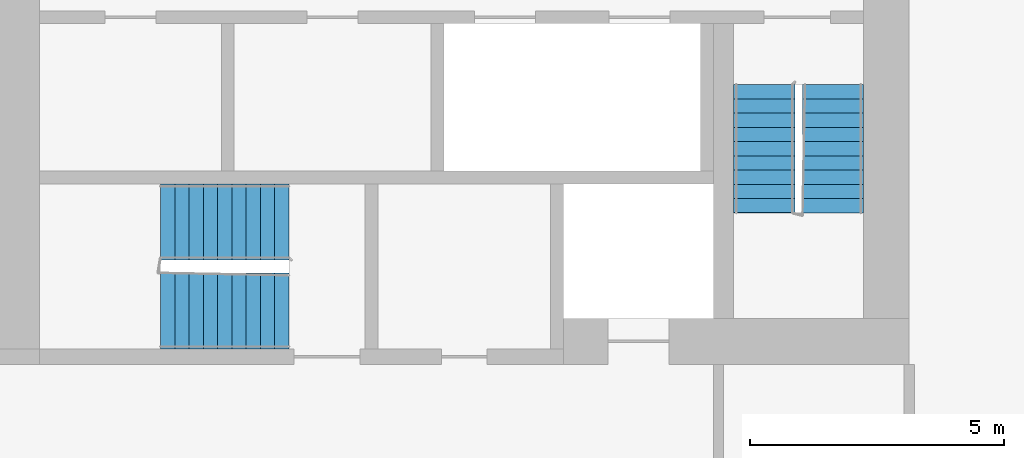
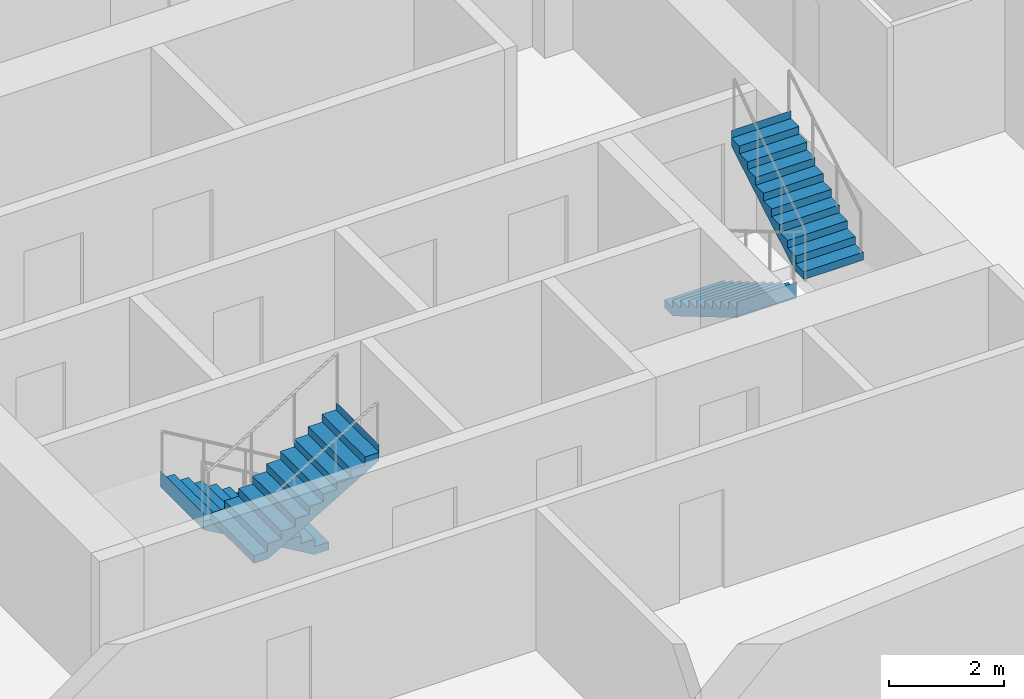
# One storey, part 9 of 12: 4 stair flights, 2 elements without a shape of their own.
"""IFC4 building model written with IfcOpenShell, lengths in metres."""

from ifc_helpers import new_model, si_unit, direction, frame, origin, place, context, subcontext, project, spatial, faceted_brep, material, type_object, element, aggregate, save


model = new_model("IFC4")

# Units and contexts
model_context = context("Model", 3, precision=1e-05, world=origin(), true_north=direction((0.0, 1.0)))
body_context = subcontext(model_context, "Body", "Model", "MODEL_VIEW")
ifc_project = project(units=[si_unit("LENGTHUNIT", "METRE"), si_unit("AREAUNIT", "SQUARE_METRE"), si_unit("VOLUMEUNIT", "CUBIC_METRE"), si_unit("PLANEANGLEUNIT", "RADIAN"), si_unit("MASSUNIT", "GRAM", prefix="KILO")], contexts=[model_context])

# Site, building, storey
site_placement = place(None, origin())
site = spatial("IfcSite", under=ifc_project, at=site_placement, CompositionType="ELEMENT")
building_placement = place(site_placement, origin())
building = spatial("IfcBuilding", under=site, at=building_placement, Name="Kajstack Hotel Tower", CompositionType="ELEMENT")
storey_placement = place(building_placement, frame((0.0, 0.0, 173.5)))
storey = spatial("IfcBuildingStorey", under=building, at=storey_placement, Name="L40", CompositionType="ELEMENT", Elevation=173.5)

# Stair, stair flights
ifc_material = material(Name="Concrete C40/50", Category="concrete")
stair_type_1 = type_object("IfcStairType", Name="Exit stair 1200", PredefinedType="HALF_TURN_STAIR", material=ifc_material)
stair_1_placement = place(storey_placement, origin())
stair_1 = element("IfcStair", 1, at=stair_1_placement, inside=storey, type_object=stair_type_1, Name="L40 stair W2", PredefinedType="HALF_TURN_STAIR")
stair_flight_type_1 = type_object("IfcStairFlightType", Name="Exit stair flight 1200", PredefinedType="STRAIGHT", material=ifc_material)
stair_flight_1_placement = place(storey_placement, frame((-16.35009765625, -10.0, 0.0), z_axis=(0.0, 0.0, 1.0), x_axis=(0.0, -1.0, 0.0)))
stair_flight_1 = element("IfcStairFlight", 2, at=stair_flight_1_placement, type_object=stair_flight_type_1, Name="W2 flight 1", NumberOfRisers=10, NumberOfTreads=9, PredefinedType="STRAIGHT", RiserHeight=0.165, TreadLength=0.28, context=body_context, shape_type="Brep", body=[
    faceted_brep([(0.295654296875, -0.60009765625, 0.0), (2.5205078125, -0.60009765625, 1.31103515625), (2.5205078125, -0.60009765625, 1.64990234375), (2.52001953125, -0.60009765625, 1.64990234375), (2.52001953125, -0.60009765625, 1.485107421875), (2.239990234375, -0.60009765625, 1.485107421875), (2.239990234375, -0.60009765625, 1.320068359375), (1.9599609375, -0.60009765625, 1.320068359375), (1.9599609375, -0.60009765625, 1.155029296875), (1.679931640625, -0.60009765625, 1.155029296875), (1.679931640625, -0.60009765625, 0.989990234375), (1.39990234375, -0.60009765625, 0.989990234375), (1.39990234375, -0.60009765625, 0.824951171875), (1.1201171875, -0.60009765625, 0.824951171875), (1.1201171875, -0.60009765625, 0.659912109375), (0.840087890625, -0.60009765625, 0.659912109375), (0.840087890625, -0.60009765625, 0.4951171875), (0.56005859375, -0.60009765625, 0.4951171875), (0.56005859375, -0.60009765625, 0.330078125), (0.280029296875, -0.60009765625, 0.330078125), (0.280029296875, -0.60009765625, 0.1650390625), (-0.00048828125, -0.60009765625, 0.1650390625), (-0.00048828125, -0.60009765625, 0.0), (-0.00048828125, 0.60009765625, 0.0), (-0.00048828125, 0.60009765625, 0.1650390625), (0.280029296875, 0.60009765625, 0.1650390625), (0.280029296875, 0.60009765625, 0.330078125), (0.56005859375, 0.60009765625, 0.330078125), (0.56005859375, 0.60009765625, 0.4951171875), (0.840087890625, 0.60009765625, 0.4951171875), (0.840087890625, 0.60009765625, 0.659912109375), (1.1201171875, 0.60009765625, 0.659912109375), (1.1201171875, 0.60009765625, 0.824951171875), (1.39990234375, 0.60009765625, 0.824951171875), (1.39990234375, 0.60009765625, 0.989990234375), (1.679931640625, 0.60009765625, 0.989990234375), (1.679931640625, 0.60009765625, 1.155029296875), (1.9599609375, 0.60009765625, 1.155029296875), (1.9599609375, 0.60009765625, 1.320068359375), (2.239990234375, 0.60009765625, 1.320068359375), (2.239990234375, 0.60009765625, 1.485107421875), (2.52001953125, 0.60009765625, 1.485107421875), (2.52001953125, 0.60009765625, 1.64990234375), (2.5205078125, 0.60009765625, 1.64990234375), (2.5205078125, 0.60009765625, 1.31103515625), (0.295654296875, 0.60009765625, 0.0), (-0.00048828125, -0.300048828125, 0.1650390625), (-0.00048828125, 0.0, 0.1650390625), (-0.00048828125, 0.300048828125, 0.1650390625), (-0.00048828125, 0.300048828125, 0.0), (-0.00048828125, 0.0, 0.0), (-0.00048828125, -0.300048828125, 0.0), (0.280029296875, -0.300048828125, 0.1650390625), (0.280029296875, 0.0, 0.1650390625), (0.280029296875, 0.300048828125, 0.1650390625), (0.280029296875, -0.300048828125, 0.330078125), (0.280029296875, 0.0, 0.330078125), (0.280029296875, 0.300048828125, 0.330078125), (0.56005859375, -0.300048828125, 0.330078125), (0.56005859375, 0.0, 0.330078125), (0.56005859375, 0.300048828125, 0.330078125), (0.56005859375, -0.300048828125, 0.4951171875), (0.56005859375, 0.0, 0.4951171875), (0.56005859375, 0.300048828125, 0.4951171875), (0.840087890625, -0.300048828125, 0.4951171875), (0.840087890625, 0.0, 0.4951171875), (0.840087890625, 0.300048828125, 0.4951171875), (0.840087890625, -0.300048828125, 0.659912109375), (0.840087890625, 0.0, 0.659912109375), (0.840087890625, 0.300048828125, 0.659912109375), (1.1201171875, -0.300048828125, 0.659912109375), (1.1201171875, 0.0, 0.659912109375), (1.1201171875, 0.300048828125, 0.659912109375), (1.1201171875, -0.300048828125, 0.824951171875), (1.1201171875, 0.0, 0.824951171875), (1.1201171875, 0.300048828125, 0.824951171875), (1.39990234375, -0.300048828125, 0.824951171875), (1.39990234375, 0.0, 0.824951171875), (1.39990234375, 0.300048828125, 0.824951171875), (1.39990234375, -0.300048828125, 0.989990234375), (1.39990234375, 0.0, 0.989990234375), (1.39990234375, 0.300048828125, 0.989990234375), (1.679931640625, -0.300048828125, 0.989990234375), (1.679931640625, 0.0, 0.989990234375), (1.679931640625, 0.300048828125, 0.989990234375), (1.679931640625, -0.300048828125, 1.155029296875), (1.679931640625, 0.0, 1.155029296875), (1.679931640625, 0.300048828125, 1.155029296875), (1.9599609375, -0.300048828125, 1.155029296875), (1.9599609375, 0.0, 1.155029296875), (1.9599609375, 0.300048828125, 1.155029296875), (1.9599609375, -0.300048828125, 1.320068359375), (1.9599609375, 0.0, 1.320068359375), (1.9599609375, 0.300048828125, 1.320068359375), (2.239990234375, -0.300048828125, 1.320068359375), (2.239990234375, 0.0, 1.320068359375), (2.239990234375, 0.300048828125, 1.320068359375), (2.239990234375, -0.300048828125, 1.485107421875), (2.239990234375, 0.0, 1.485107421875), (2.239990234375, 0.300048828125, 1.485107421875), (2.52001953125, -0.300048828125, 1.485107421875), (2.52001953125, 0.0, 1.485107421875), (2.52001953125, 0.300048828125, 1.485107421875), (2.52001953125, -0.300048828125, 1.64990234375), (2.52001953125, 0.0, 1.64990234375), (2.52001953125, 0.300048828125, 1.64990234375), (2.5205078125, -0.300048828125, 1.64990234375), (2.5205078125, 0.0, 1.64990234375), (2.5205078125, 0.300048828125, 1.64990234375), (2.5205078125, -0.300048828125, 1.31103515625), (2.5205078125, 0.0, 1.31103515625), (2.5205078125, 0.300048828125, 1.31103515625), (0.295654296875, -0.300048828125, 0.0), (0.295654296875, 0.0, 0.0), (0.295654296875, 0.300048828125, 0.0)], [[[0, 1, 2, 3, 4, 5, 6, 7, 8, 9, 10, 11, 12, 13, 14, 15, 16, 17, 18, 19, 20, 21, 22]], [[23, 24, 25, 26, 27, 28, 29, 30, 31, 32, 33, 34, 35, 36, 37, 38, 39, 40, 41, 42, 43, 44, 45]], [[21, 46, 47, 48, 24, 23, 49, 50, 51, 22]], [[20, 52, 53, 54, 25, 24, 48, 47, 46, 21]], [[19, 55, 56, 57, 26, 25, 54, 53, 52, 20]], [[18, 58, 59, 60, 27, 26, 57, 56, 55, 19]], [[17, 61, 62, 63, 28, 27, 60, 59, 58, 18]], [[16, 64, 65, 66, 29, 28, 63, 62, 61, 17]], [[15, 67, 68, 69, 30, 29, 66, 65, 64, 16]], [[14, 70, 71, 72, 31, 30, 69, 68, 67, 15]], [[13, 73, 74, 75, 32, 31, 72, 71, 70, 14]], [[12, 76, 77, 78, 33, 32, 75, 74, 73, 13]], [[11, 79, 80, 81, 34, 33, 78, 77, 76, 12]], [[10, 82, 83, 84, 35, 34, 81, 80, 79, 11]], [[9, 85, 86, 87, 36, 35, 84, 83, 82, 10]], [[8, 88, 89, 90, 37, 36, 87, 86, 85, 9]], [[7, 91, 92, 93, 38, 37, 90, 89, 88, 8]], [[6, 94, 95, 96, 39, 38, 93, 92, 91, 7]], [[5, 97, 98, 99, 40, 39, 96, 95, 94, 6]], [[4, 100, 101, 102, 41, 40, 99, 98, 97, 5]], [[3, 103, 104, 105, 42, 41, 102, 101, 100, 4]], [[2, 106, 107, 108, 43, 42, 105, 104, 103, 3]], [[1, 109, 110, 111, 44, 43, 108, 107, 106, 2]], [[0, 112, 113, 114, 45, 44, 111, 110, 109, 1]], [[22, 51, 50, 49, 23, 45, 114, 113, 112, 0]]]),
])
stair_flight_2_placement = place(storey_placement, frame((-15.0, -12.52001953125, 1.64990234375), z_axis=(0.0, 0.0, 1.0), x_axis=(0.0, 1.0, 0.0)))
stair_flight_2 = element("IfcStairFlight", 3, at=stair_flight_2_placement, type_object=stair_flight_type_1, Name="W2 flight 2", NumberOfRisers=10, NumberOfTreads=9, PredefinedType="STRAIGHT", RiserHeight=0.165, TreadLength=0.28, context=body_context, shape_type="Brep", body=[
    faceted_brep([(0.295654296875, -0.60009765625, 0.0), (2.5205078125, -0.60009765625, 1.31103515625), (2.5205078125, -0.60009765625, 1.64990234375), (2.52001953125, -0.60009765625, 1.64990234375), (2.52001953125, -0.60009765625, 1.485107421875), (2.239990234375, -0.60009765625, 1.485107421875), (2.239990234375, -0.60009765625, 1.320068359375), (1.9599609375, -0.60009765625, 1.320068359375), (1.9599609375, -0.60009765625, 1.155029296875), (1.679931640625, -0.60009765625, 1.155029296875), (1.679931640625, -0.60009765625, 0.989990234375), (1.39990234375, -0.60009765625, 0.989990234375), (1.39990234375, -0.60009765625, 0.824951171875), (1.1201171875, -0.60009765625, 0.824951171875), (1.1201171875, -0.60009765625, 0.659912109375), (0.840087890625, -0.60009765625, 0.659912109375), (0.840087890625, -0.60009765625, 0.4951171875), (0.56005859375, -0.60009765625, 0.4951171875), (0.56005859375, -0.60009765625, 0.330078125), (0.280029296875, -0.60009765625, 0.330078125), (0.280029296875, -0.60009765625, 0.1650390625), (-0.00048828125, -0.60009765625, 0.1650390625), (-0.00048828125, -0.60009765625, 0.0), (-0.00048828125, 0.60009765625, 0.0), (-0.00048828125, 0.60009765625, 0.1650390625), (0.280029296875, 0.60009765625, 0.1650390625), (0.280029296875, 0.60009765625, 0.330078125), (0.56005859375, 0.60009765625, 0.330078125), (0.56005859375, 0.60009765625, 0.4951171875), (0.840087890625, 0.60009765625, 0.4951171875), (0.840087890625, 0.60009765625, 0.659912109375), (1.1201171875, 0.60009765625, 0.659912109375), (1.1201171875, 0.60009765625, 0.824951171875), (1.39990234375, 0.60009765625, 0.824951171875), (1.39990234375, 0.60009765625, 0.989990234375), (1.679931640625, 0.60009765625, 0.989990234375), (1.679931640625, 0.60009765625, 1.155029296875), (1.9599609375, 0.60009765625, 1.155029296875), (1.9599609375, 0.60009765625, 1.320068359375), (2.239990234375, 0.60009765625, 1.320068359375), (2.239990234375, 0.60009765625, 1.485107421875), (2.52001953125, 0.60009765625, 1.485107421875), (2.52001953125, 0.60009765625, 1.64990234375), (2.5205078125, 0.60009765625, 1.64990234375), (2.5205078125, 0.60009765625, 1.31103515625), (0.295654296875, 0.60009765625, 0.0), (-0.00048828125, -0.300048828125, 0.1650390625), (-0.00048828125, 0.0, 0.1650390625), (-0.00048828125, 0.300048828125, 0.1650390625), (-0.00048828125, 0.300048828125, 0.0), (-0.00048828125, 0.0, 0.0), (-0.00048828125, -0.300048828125, 0.0), (0.280029296875, -0.300048828125, 0.1650390625), (0.280029296875, 0.0, 0.1650390625), (0.280029296875, 0.300048828125, 0.1650390625), (0.280029296875, -0.300048828125, 0.330078125), (0.280029296875, 0.0, 0.330078125), (0.280029296875, 0.300048828125, 0.330078125), (0.56005859375, -0.300048828125, 0.330078125), (0.56005859375, 0.0, 0.330078125), (0.56005859375, 0.300048828125, 0.330078125), (0.56005859375, -0.300048828125, 0.4951171875), (0.56005859375, 0.0, 0.4951171875), (0.56005859375, 0.300048828125, 0.4951171875), (0.840087890625, -0.300048828125, 0.4951171875), (0.840087890625, 0.0, 0.4951171875), (0.840087890625, 0.300048828125, 0.4951171875), (0.840087890625, -0.300048828125, 0.659912109375), (0.840087890625, 0.0, 0.659912109375), (0.840087890625, 0.300048828125, 0.659912109375), (1.1201171875, -0.300048828125, 0.659912109375), (1.1201171875, 0.0, 0.659912109375), (1.1201171875, 0.300048828125, 0.659912109375), (1.1201171875, -0.300048828125, 0.824951171875), (1.1201171875, 0.0, 0.824951171875), (1.1201171875, 0.300048828125, 0.824951171875), (1.39990234375, -0.300048828125, 0.824951171875), (1.39990234375, 0.0, 0.824951171875), (1.39990234375, 0.300048828125, 0.824951171875), (1.39990234375, -0.300048828125, 0.989990234375), (1.39990234375, 0.0, 0.989990234375), (1.39990234375, 0.300048828125, 0.989990234375), (1.679931640625, -0.300048828125, 0.989990234375), (1.679931640625, 0.0, 0.989990234375), (1.679931640625, 0.300048828125, 0.989990234375), (1.679931640625, -0.300048828125, 1.155029296875), (1.679931640625, 0.0, 1.155029296875), (1.679931640625, 0.300048828125, 1.155029296875), (1.9599609375, -0.300048828125, 1.155029296875), (1.9599609375, 0.0, 1.155029296875), (1.9599609375, 0.300048828125, 1.155029296875), (1.9599609375, -0.300048828125, 1.320068359375), (1.9599609375, 0.0, 1.320068359375), (1.9599609375, 0.300048828125, 1.320068359375), (2.239990234375, -0.300048828125, 1.320068359375), (2.239990234375, 0.0, 1.320068359375), (2.239990234375, 0.300048828125, 1.320068359375), (2.239990234375, -0.300048828125, 1.485107421875), (2.239990234375, 0.0, 1.485107421875), (2.239990234375, 0.300048828125, 1.485107421875), (2.52001953125, -0.300048828125, 1.485107421875), (2.52001953125, 0.0, 1.485107421875), (2.52001953125, 0.300048828125, 1.485107421875), (2.52001953125, -0.300048828125, 1.64990234375), (2.52001953125, 0.0, 1.64990234375), (2.52001953125, 0.300048828125, 1.64990234375), (2.5205078125, -0.300048828125, 1.64990234375), (2.5205078125, 0.0, 1.64990234375), (2.5205078125, 0.300048828125, 1.64990234375), (2.5205078125, -0.300048828125, 1.31103515625), (2.5205078125, 0.0, 1.31103515625), (2.5205078125, 0.300048828125, 1.31103515625), (0.295654296875, -0.300048828125, 0.0), (0.295654296875, 0.0, 0.0), (0.295654296875, 0.300048828125, 0.0)], [[[0, 1, 2, 3, 4, 5, 6, 7, 8, 9, 10, 11, 12, 13, 14, 15, 16, 17, 18, 19, 20, 21, 22]], [[23, 24, 25, 26, 27, 28, 29, 30, 31, 32, 33, 34, 35, 36, 37, 38, 39, 40, 41, 42, 43, 44, 45]], [[21, 46, 47, 48, 24, 23, 49, 50, 51, 22]], [[20, 52, 53, 54, 25, 24, 48, 47, 46, 21]], [[19, 55, 56, 57, 26, 25, 54, 53, 52, 20]], [[18, 58, 59, 60, 27, 26, 57, 56, 55, 19]], [[17, 61, 62, 63, 28, 27, 60, 59, 58, 18]], [[16, 64, 65, 66, 29, 28, 63, 62, 61, 17]], [[15, 67, 68, 69, 30, 29, 66, 65, 64, 16]], [[14, 70, 71, 72, 31, 30, 69, 68, 67, 15]], [[13, 73, 74, 75, 32, 31, 72, 71, 70, 14]], [[12, 76, 77, 78, 33, 32, 75, 74, 73, 13]], [[11, 79, 80, 81, 34, 33, 78, 77, 76, 12]], [[10, 82, 83, 84, 35, 34, 81, 80, 79, 11]], [[9, 85, 86, 87, 36, 35, 84, 83, 82, 10]], [[8, 88, 89, 90, 37, 36, 87, 86, 85, 9]], [[7, 91, 92, 93, 38, 37, 90, 89, 88, 8]], [[6, 94, 95, 96, 39, 38, 93, 92, 91, 7]], [[5, 97, 98, 99, 40, 39, 96, 95, 94, 6]], [[4, 100, 101, 102, 41, 40, 99, 98, 97, 5]], [[3, 103, 104, 105, 42, 41, 102, 101, 100, 4]], [[2, 106, 107, 108, 43, 42, 105, 104, 103, 3]], [[1, 109, 110, 111, 44, 43, 108, 107, 106, 2]], [[0, 112, 113, 114, 45, 44, 111, 110, 109, 1]], [[22, 51, 50, 49, 23, 45, 114, 113, 112, 0]]]),
])
aggregate(stair_1, [stair_flight_1, stair_flight_2])

stair_type_2 = type_object("IfcStairType", Name="Exit stair 1500", PredefinedType="HALF_TURN_STAIR", material=ifc_material)
stair_2_placement = place(storey_placement, origin())
stair_2 = element("IfcStair", 4, at=stair_2_placement, inside=storey, type_object=stair_type_2, Name="L40 stair W3", PredefinedType="HALF_TURN_STAIR")
stair_flight_type_2 = type_object("IfcStairFlightType", Name="Exit stair flight 1500", PredefinedType="STRAIGHT", material=ifc_material)
stair_flight_3_placement = place(storey_placement, frame((-25.699951171875, -12.699951171875, 0.0), z_axis=(0.0, 0.0, 1.0), x_axis=(-1.0, 0.0, 0.0)))
stair_flight_3 = element("IfcStairFlight", 5, at=stair_flight_3_placement, type_object=stair_flight_type_2, Name="W3 flight 1", NumberOfRisers=10, NumberOfTreads=9, PredefinedType="STRAIGHT", RiserHeight=0.165, TreadLength=0.28, context=body_context, shape_type="Brep", body=[
    faceted_brep([(0.295654296875, -0.75, 0.0), (2.5205078125, -0.75, 1.31103515625), (2.5205078125, -0.75, 1.64990234375), (2.52001953125, -0.75, 1.64990234375), (2.52001953125, -0.75, 1.485107421875), (2.239990234375, -0.75, 1.485107421875), (2.239990234375, -0.75, 1.320068359375), (1.9599609375, -0.75, 1.320068359375), (1.9599609375, -0.75, 1.155029296875), (1.679931640625, -0.75, 1.155029296875), (1.679931640625, -0.75, 0.989990234375), (1.39990234375, -0.75, 0.989990234375), (1.39990234375, -0.75, 0.824951171875), (1.1201171875, -0.75, 0.824951171875), (1.1201171875, -0.75, 0.659912109375), (0.840087890625, -0.75, 0.659912109375), (0.840087890625, -0.75, 0.4951171875), (0.56005859375, -0.75, 0.4951171875), (0.56005859375, -0.75, 0.330078125), (0.280029296875, -0.75, 0.330078125), (0.280029296875, -0.75, 0.1650390625), (-0.00048828125, -0.75, 0.1650390625), (-0.00048828125, -0.75, 0.0), (-0.00048828125, 0.75, 0.0), (-0.00048828125, 0.75, 0.1650390625), (0.280029296875, 0.75, 0.1650390625), (0.280029296875, 0.75, 0.330078125), (0.56005859375, 0.75, 0.330078125), (0.56005859375, 0.75, 0.4951171875), (0.840087890625, 0.75, 0.4951171875), (0.840087890625, 0.75, 0.659912109375), (1.1201171875, 0.75, 0.659912109375), (1.1201171875, 0.75, 0.824951171875), (1.39990234375, 0.75, 0.824951171875), (1.39990234375, 0.75, 0.989990234375), (1.679931640625, 0.75, 0.989990234375), (1.679931640625, 0.75, 1.155029296875), (1.9599609375, 0.75, 1.155029296875), (1.9599609375, 0.75, 1.320068359375), (2.239990234375, 0.75, 1.320068359375), (2.239990234375, 0.75, 1.485107421875), (2.52001953125, 0.75, 1.485107421875), (2.52001953125, 0.75, 1.64990234375), (2.5205078125, 0.75, 1.64990234375), (2.5205078125, 0.75, 1.31103515625), (0.295654296875, 0.75, 0.0), (-0.00048828125, -0.375, 0.1650390625), (-0.00048828125, 0.0, 0.1650390625), (-0.00048828125, 0.375, 0.1650390625), (-0.00048828125, 0.375, 0.0), (-0.00048828125, 0.0, 0.0), (-0.00048828125, -0.375, 0.0), (0.280029296875, -0.375, 0.1650390625), (0.280029296875, 0.0, 0.1650390625), (0.280029296875, 0.375, 0.1650390625), (0.280029296875, -0.375, 0.330078125), (0.280029296875, 0.0, 0.330078125), (0.280029296875, 0.375, 0.330078125), (0.56005859375, -0.375, 0.330078125), (0.56005859375, 0.0, 0.330078125), (0.56005859375, 0.375, 0.330078125), (0.56005859375, -0.375, 0.4951171875), (0.56005859375, 0.0, 0.4951171875), (0.56005859375, 0.375, 0.4951171875), (0.840087890625, -0.375, 0.4951171875), (0.840087890625, 0.0, 0.4951171875), (0.840087890625, 0.375, 0.4951171875), (0.840087890625, -0.375, 0.659912109375), (0.840087890625, 0.0, 0.659912109375), (0.840087890625, 0.375, 0.659912109375), (1.1201171875, -0.375, 0.659912109375), (1.1201171875, 0.0, 0.659912109375), (1.1201171875, 0.375, 0.659912109375), (1.1201171875, -0.375, 0.824951171875), (1.1201171875, 0.0, 0.824951171875), (1.1201171875, 0.375, 0.824951171875), (1.39990234375, -0.375, 0.824951171875), (1.39990234375, 0.0, 0.824951171875), (1.39990234375, 0.375, 0.824951171875), (1.39990234375, -0.375, 0.989990234375), (1.39990234375, 0.0, 0.989990234375), (1.39990234375, 0.375, 0.989990234375), (1.679931640625, -0.375, 0.989990234375), (1.679931640625, 0.0, 0.989990234375), (1.679931640625, 0.375, 0.989990234375), (1.679931640625, -0.375, 1.155029296875), (1.679931640625, 0.0, 1.155029296875), (1.679931640625, 0.375, 1.155029296875), (1.9599609375, -0.375, 1.155029296875), (1.9599609375, 0.0, 1.155029296875), (1.9599609375, 0.375, 1.155029296875), (1.9599609375, -0.375, 1.320068359375), (1.9599609375, 0.0, 1.320068359375), (1.9599609375, 0.375, 1.320068359375), (2.239990234375, -0.375, 1.320068359375), (2.239990234375, 0.0, 1.320068359375), (2.239990234375, 0.375, 1.320068359375), (2.239990234375, -0.375, 1.485107421875), (2.239990234375, 0.0, 1.485107421875), (2.239990234375, 0.375, 1.485107421875), (2.52001953125, -0.375, 1.485107421875), (2.52001953125, 0.0, 1.485107421875), (2.52001953125, 0.375, 1.485107421875), (2.52001953125, -0.375, 1.64990234375), (2.52001953125, 0.0, 1.64990234375), (2.52001953125, 0.375, 1.64990234375), (2.5205078125, -0.375, 1.64990234375), (2.5205078125, 0.0, 1.64990234375), (2.5205078125, 0.375, 1.64990234375), (2.5205078125, -0.375, 1.31103515625), (2.5205078125, 0.0, 1.31103515625), (2.5205078125, 0.375, 1.31103515625), (0.295654296875, -0.375, 0.0), (0.295654296875, 0.0, 0.0), (0.295654296875, 0.375, 0.0)], [[[0, 1, 2, 3, 4, 5, 6, 7, 8, 9, 10, 11, 12, 13, 14, 15, 16, 17, 18, 19, 20, 21, 22]], [[23, 24, 25, 26, 27, 28, 29, 30, 31, 32, 33, 34, 35, 36, 37, 38, 39, 40, 41, 42, 43, 44, 45]], [[21, 46, 47, 48, 24, 23, 49, 50, 51, 22]], [[20, 52, 53, 54, 25, 24, 48, 47, 46, 21]], [[19, 55, 56, 57, 26, 25, 54, 53, 52, 20]], [[18, 58, 59, 60, 27, 26, 57, 56, 55, 19]], [[17, 61, 62, 63, 28, 27, 60, 59, 58, 18]], [[16, 64, 65, 66, 29, 28, 63, 62, 61, 17]], [[15, 67, 68, 69, 30, 29, 66, 65, 64, 16]], [[14, 70, 71, 72, 31, 30, 69, 68, 67, 15]], [[13, 73, 74, 75, 32, 31, 72, 71, 70, 14]], [[12, 76, 77, 78, 33, 32, 75, 74, 73, 13]], [[11, 79, 80, 81, 34, 33, 78, 77, 76, 12]], [[10, 82, 83, 84, 35, 34, 81, 80, 79, 11]], [[9, 85, 86, 87, 36, 35, 84, 83, 82, 10]], [[8, 88, 89, 90, 37, 36, 87, 86, 85, 9]], [[7, 91, 92, 93, 38, 37, 90, 89, 88, 8]], [[6, 94, 95, 96, 39, 38, 93, 92, 91, 7]], [[5, 97, 98, 99, 40, 39, 96, 95, 94, 6]], [[4, 100, 101, 102, 41, 40, 99, 98, 97, 5]], [[3, 103, 104, 105, 42, 41, 102, 101, 100, 4]], [[2, 106, 107, 108, 43, 42, 105, 104, 103, 3]], [[1, 109, 110, 111, 44, 43, 108, 107, 106, 2]], [[0, 112, 113, 114, 45, 44, 111, 110, 109, 1]], [[22, 51, 50, 49, 23, 45, 114, 113, 112, 0]]]),
])
stair_flight_4_placement = place(storey_placement, frame((-28.219970703125, -14.449951171875, 1.64990234375), z_axis=(0.0, 0.0, 1.0), x_axis=(1.0, 0.0, 0.0)))
stair_flight_4 = element("IfcStairFlight", 6, at=stair_flight_4_placement, type_object=stair_flight_type_2, Name="W3 flight 2", NumberOfRisers=10, NumberOfTreads=9, PredefinedType="STRAIGHT", RiserHeight=0.165, TreadLength=0.28, context=body_context, shape_type="Brep", body=[
    faceted_brep([(0.295654296875, -0.75, 0.0), (2.5205078125, -0.75, 1.31103515625), (2.5205078125, -0.75, 1.64990234375), (2.52001953125, -0.75, 1.64990234375), (2.52001953125, -0.75, 1.485107421875), (2.239990234375, -0.75, 1.485107421875), (2.239990234375, -0.75, 1.320068359375), (1.9599609375, -0.75, 1.320068359375), (1.9599609375, -0.75, 1.155029296875), (1.679931640625, -0.75, 1.155029296875), (1.679931640625, -0.75, 0.989990234375), (1.39990234375, -0.75, 0.989990234375), (1.39990234375, -0.75, 0.824951171875), (1.1201171875, -0.75, 0.824951171875), (1.1201171875, -0.75, 0.659912109375), (0.840087890625, -0.75, 0.659912109375), (0.840087890625, -0.75, 0.4951171875), (0.56005859375, -0.75, 0.4951171875), (0.56005859375, -0.75, 0.330078125), (0.280029296875, -0.75, 0.330078125), (0.280029296875, -0.75, 0.1650390625), (-0.00048828125, -0.75, 0.1650390625), (-0.00048828125, -0.75, 0.0), (-0.00048828125, 0.75, 0.0), (-0.00048828125, 0.75, 0.1650390625), (0.280029296875, 0.75, 0.1650390625), (0.280029296875, 0.75, 0.330078125), (0.56005859375, 0.75, 0.330078125), (0.56005859375, 0.75, 0.4951171875), (0.840087890625, 0.75, 0.4951171875), (0.840087890625, 0.75, 0.659912109375), (1.1201171875, 0.75, 0.659912109375), (1.1201171875, 0.75, 0.824951171875), (1.39990234375, 0.75, 0.824951171875), (1.39990234375, 0.75, 0.989990234375), (1.679931640625, 0.75, 0.989990234375), (1.679931640625, 0.75, 1.155029296875), (1.9599609375, 0.75, 1.155029296875), (1.9599609375, 0.75, 1.320068359375), (2.239990234375, 0.75, 1.320068359375), (2.239990234375, 0.75, 1.485107421875), (2.52001953125, 0.75, 1.485107421875), (2.52001953125, 0.75, 1.64990234375), (2.5205078125, 0.75, 1.64990234375), (2.5205078125, 0.75, 1.31103515625), (0.295654296875, 0.75, 0.0), (-0.00048828125, -0.375, 0.1650390625), (-0.00048828125, 0.0, 0.1650390625), (-0.00048828125, 0.375, 0.1650390625), (-0.00048828125, 0.375, 0.0), (-0.00048828125, 0.0, 0.0), (-0.00048828125, -0.375, 0.0), (0.280029296875, -0.375, 0.1650390625), (0.280029296875, 0.0, 0.1650390625), (0.280029296875, 0.375, 0.1650390625), (0.280029296875, -0.375, 0.330078125), (0.280029296875, 0.0, 0.330078125), (0.280029296875, 0.375, 0.330078125), (0.56005859375, -0.375, 0.330078125), (0.56005859375, 0.0, 0.330078125), (0.56005859375, 0.375, 0.330078125), (0.56005859375, -0.375, 0.4951171875), (0.56005859375, 0.0, 0.4951171875), (0.56005859375, 0.375, 0.4951171875), (0.840087890625, -0.375, 0.4951171875), (0.840087890625, 0.0, 0.4951171875), (0.840087890625, 0.375, 0.4951171875), (0.840087890625, -0.375, 0.659912109375), (0.840087890625, 0.0, 0.659912109375), (0.840087890625, 0.375, 0.659912109375), (1.1201171875, -0.375, 0.659912109375), (1.1201171875, 0.0, 0.659912109375), (1.1201171875, 0.375, 0.659912109375), (1.1201171875, -0.375, 0.824951171875), (1.1201171875, 0.0, 0.824951171875), (1.1201171875, 0.375, 0.824951171875), (1.39990234375, -0.375, 0.824951171875), (1.39990234375, 0.0, 0.824951171875), (1.39990234375, 0.375, 0.824951171875), (1.39990234375, -0.375, 0.989990234375), (1.39990234375, 0.0, 0.989990234375), (1.39990234375, 0.375, 0.989990234375), (1.679931640625, -0.375, 0.989990234375), (1.679931640625, 0.0, 0.989990234375), (1.679931640625, 0.375, 0.989990234375), (1.679931640625, -0.375, 1.155029296875), (1.679931640625, 0.0, 1.155029296875), (1.679931640625, 0.375, 1.155029296875), (1.9599609375, -0.375, 1.155029296875), (1.9599609375, 0.0, 1.155029296875), (1.9599609375, 0.375, 1.155029296875), (1.9599609375, -0.375, 1.320068359375), (1.9599609375, 0.0, 1.320068359375), (1.9599609375, 0.375, 1.320068359375), (2.239990234375, -0.375, 1.320068359375), (2.239990234375, 0.0, 1.320068359375), (2.239990234375, 0.375, 1.320068359375), (2.239990234375, -0.375, 1.485107421875), (2.239990234375, 0.0, 1.485107421875), (2.239990234375, 0.375, 1.485107421875), (2.52001953125, -0.375, 1.485107421875), (2.52001953125, 0.0, 1.485107421875), (2.52001953125, 0.375, 1.485107421875), (2.52001953125, -0.375, 1.64990234375), (2.52001953125, 0.0, 1.64990234375), (2.52001953125, 0.375, 1.64990234375), (2.5205078125, -0.375, 1.64990234375), (2.5205078125, 0.0, 1.64990234375), (2.5205078125, 0.375, 1.64990234375), (2.5205078125, -0.375, 1.31103515625), (2.5205078125, 0.0, 1.31103515625), (2.5205078125, 0.375, 1.31103515625), (0.295654296875, -0.375, 0.0), (0.295654296875, 0.0, 0.0), (0.295654296875, 0.375, 0.0)], [[[0, 1, 2, 3, 4, 5, 6, 7, 8, 9, 10, 11, 12, 13, 14, 15, 16, 17, 18, 19, 20, 21, 22]], [[23, 24, 25, 26, 27, 28, 29, 30, 31, 32, 33, 34, 35, 36, 37, 38, 39, 40, 41, 42, 43, 44, 45]], [[21, 46, 47, 48, 24, 23, 49, 50, 51, 22]], [[20, 52, 53, 54, 25, 24, 48, 47, 46, 21]], [[19, 55, 56, 57, 26, 25, 54, 53, 52, 20]], [[18, 58, 59, 60, 27, 26, 57, 56, 55, 19]], [[17, 61, 62, 63, 28, 27, 60, 59, 58, 18]], [[16, 64, 65, 66, 29, 28, 63, 62, 61, 17]], [[15, 67, 68, 69, 30, 29, 66, 65, 64, 16]], [[14, 70, 71, 72, 31, 30, 69, 68, 67, 15]], [[13, 73, 74, 75, 32, 31, 72, 71, 70, 14]], [[12, 76, 77, 78, 33, 32, 75, 74, 73, 13]], [[11, 79, 80, 81, 34, 33, 78, 77, 76, 12]], [[10, 82, 83, 84, 35, 34, 81, 80, 79, 11]], [[9, 85, 86, 87, 36, 35, 84, 83, 82, 10]], [[8, 88, 89, 90, 37, 36, 87, 86, 85, 9]], [[7, 91, 92, 93, 38, 37, 90, 89, 88, 8]], [[6, 94, 95, 96, 39, 38, 93, 92, 91, 7]], [[5, 97, 98, 99, 40, 39, 96, 95, 94, 6]], [[4, 100, 101, 102, 41, 40, 99, 98, 97, 5]], [[3, 103, 104, 105, 42, 41, 102, 101, 100, 4]], [[2, 106, 107, 108, 43, 42, 105, 104, 103, 3]], [[1, 109, 110, 111, 44, 43, 108, 107, 106, 2]], [[0, 112, 113, 114, 45, 44, 111, 110, 109, 1]], [[22, 51, 50, 49, 23, 45, 114, 113, 112, 0]]]),
])
aggregate(stair_2, [stair_flight_3, stair_flight_4])

save(model, "model.ifc")
